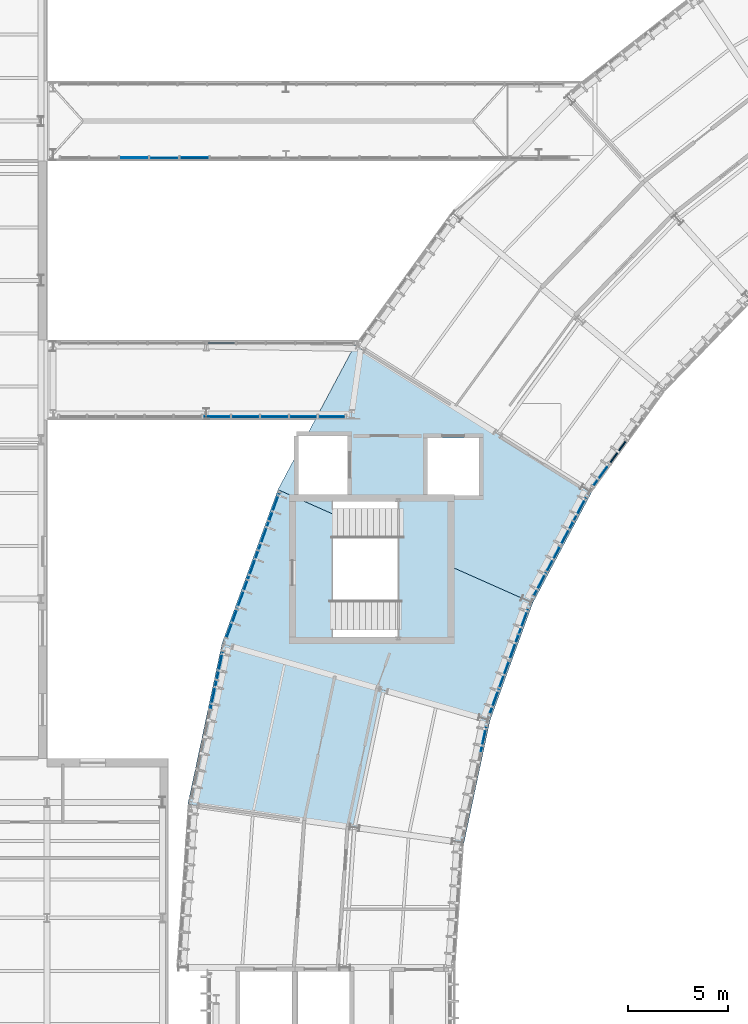
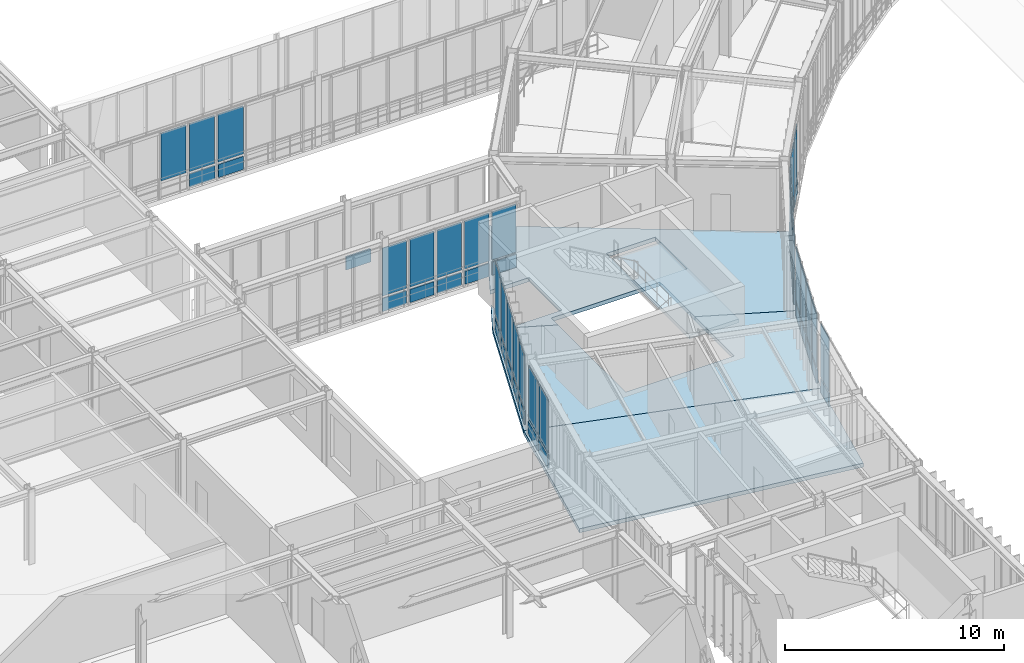
# One storey, part 27 of 57: 52 plates, 4 slabs, 10 elements without a shape of their own.
"""IFC4 building model written with IfcOpenShell, lengths in metres."""

from ifc_helpers import new_model, si_unit, direction, frame, origin, origin_2d, place, context, subcontext, project, spatial, polyline, rectangle, outline, extrude, material, layer, layer_set, type_object, element, aggregate, save


model = new_model("IFC4")

# Units and contexts
model_context = context("Model", 3, precision=1e-05, world=origin(), true_north=direction((0.0, 1.0)))
body_context = subcontext(model_context, "Body", "Model", "MODEL_VIEW")
ifc_project = project(units=[si_unit("LENGTHUNIT", "METRE"), si_unit("AREAUNIT", "SQUARE_METRE"), si_unit("VOLUMEUNIT", "CUBIC_METRE"), si_unit("PLANEANGLEUNIT", "RADIAN"), si_unit("MASSUNIT", "GRAM", prefix="KILO"), si_unit("THERMODYNAMICTEMPERATUREUNIT", "KELVIN"), si_unit("POWERUNIT", "WATT")], contexts=[model_context])

# Site, building, storey
site_placement = place(None, origin())
site = spatial("IfcSite", under=ifc_project, at=site_placement, CompositionType="ELEMENT")
building_placement = place(site_placement, origin())
building = spatial("IfcBuilding", under=site, at=building_placement, Name="Solvatero Civic Police Headquarters", CompositionType="ELEMENT")
storey_placement = place(building_placement, frame((0.0, 0.0, 9.300048828125)))
storey = spatial("IfcBuildingStorey", under=building, at=storey_placement, Name="L02", CompositionType="ELEMENT", Elevation=9.300048828125)

# Curtain wall, plate
ifc_material_1 = material(Name="Anodized Bronze Aluminium", Category="aluminium")
ifc_layer_1 = layer(ifc_material_1, 0.179931640625)
ifc_layer_set_1 = layer_set([ifc_layer_1], Name="Anodized Bronze Aluminium")
curtain_wall_type_1 = type_object("IfcCurtainWallType", Name="CW-ARC-IN", PredefinedType="USERDEFINED", material=ifc_layer_set_1)
curtain_wall_1_placement = place(storey_placement, origin())
curtain_wall_1 = element("IfcCurtainWall", 1, at=curtain_wall_1_placement, inside=storey, type_object=curtain_wall_type_1, Name="Curtain Wall CW-R2-L02-ARC-IN-B08", ObjectType="UNITISED", PredefinedType="USERDEFINED")
ifc_material_2 = material(Name="Triple Low-E Laminated Glass", Category="glass")
ifc_layer_2 = layer(ifc_material_2, 0.0380859375)
ifc_layer_set_2 = layer_set([ifc_layer_2], Name="Triple Low-E Laminated Glass")
plate_type_1 = type_object("IfcPlateType", Name="CWP-GLZ-38", PredefinedType="CURTAIN_PANEL", material=ifc_layer_set_2)
plate_1_placement = place(storey_placement, frame((56.32177734375, 50.71630859375, 0.91015625), z_axis=(0.0, 0.0, 1.0), x_axis=(-0.587785252292, -0.809016994375, 0.0)))
plate_1 = element("IfcPlate", 2, at=plate_1_placement, type_object=plate_type_1, Name="CW-R2-L02-ARC-IN-B08 Vision Glazing 4", PredefinedType="CURTAIN_PANEL", context=body_context, shape_type="SweptSolid", body=[
    extrude(rectangle(XDim=1.26513671875, YDim=0.0380859375, at=origin_2d()), origin(), (0.0, 0.0, 1.0), 2.969970703125),
])

# Curtain wall, plates
curtain_wall_2_placement = place(storey_placement, origin())
curtain_wall_2 = element("IfcCurtainWall", 3, at=curtain_wall_2_placement, inside=storey, type_object=curtain_wall_type_1, Name="Curtain Wall CW-R2-L02-ARC-IN-B09", ObjectType="UNITISED", PredefinedType="USERDEFINED")
plate_2_placement = place(storey_placement, frame((55.271484375, 49.03662109375, 0.91015625), z_axis=(0.0, 0.0, 1.0), x_axis=(-0.469471562786, -0.882947592859, 0.0)))
plate_2 = element("IfcPlate", 4, at=plate_2_placement, type_object=plate_type_1, Name="CW-R2-L02-ARC-IN-B09 Vision Glazing 1", PredefinedType="CURTAIN_PANEL", context=body_context, shape_type="SweptSolid", body=[
    extrude(rectangle(XDim=1.25048828125, YDim=0.0380859375, at=origin_2d()), origin(), (0.0, 0.0, 1.0), 2.969970703125),
])
plate_3_placement = place(storey_placement, frame((53.928466796875, 46.510498046875, 0.91015625), z_axis=(0.0, 0.0, 1.0), x_axis=(-0.469471562786, -0.882947592859, 0.0)))
plate_3 = element("IfcPlate", 5, at=plate_3_placement, type_object=plate_type_1, Name="CW-R2-L02-ARC-IN-B09 Vision Glazing 3", PredefinedType="CURTAIN_PANEL", context=body_context, shape_type="SweptSolid", body=[
    extrude(rectangle(XDim=1.25048828125, YDim=0.0380859375, at=origin_2d()), origin(), (0.0, 0.0, 1.0), 2.969970703125),
])

ifc_layer_3 = layer(ifc_material_1, 0.179931640625)
ifc_layer_set_3 = layer_set([ifc_layer_3], Name="Anodized Bronze Aluminium")
curtain_wall_type_2 = type_object("IfcCurtainWallType", Name="CW-ARC-OUT", PredefinedType="USERDEFINED", material=ifc_layer_set_3)
curtain_wall_3_placement = place(storey_placement, origin())
curtain_wall_3 = element("IfcCurtainWall", 6, at=curtain_wall_3_placement, inside=storey, type_object=curtain_wall_type_2, Name="Curtain Wall CW-R2-L02-ARC-OUT-B10", ObjectType="UNITISED", PredefinedType="USERDEFINED")
plate_4_placement = place(storey_placement, frame((39.383544921875, 47.676513671875, 0.91015625), z_axis=(0.0, 0.0, 1.0), x_axis=(-0.342020143326, -0.939692620786, 0.0)))
plate_4 = element("IfcPlate", 7, at=plate_4_placement, type_object=plate_type_1, Name="CW-R2-L02-ARC-OUT-B10 Vision Glazing 2", PredefinedType="CURTAIN_PANEL", context=body_context, shape_type="SweptSolid", body=[
    extrude(rectangle(XDim=1.391845703125, YDim=0.0380859375, at=origin_2d()), origin(), (0.0, 0.0, 1.0), 2.969970703125),
])
plate_5_placement = place(storey_placement, frame((38.30810546875, 44.722412109375, 0.91015625), z_axis=(0.0, 0.0, 1.0), x_axis=(-0.342020143326, -0.939692620786, 0.0)))
plate_5 = element("IfcPlate", 8, at=plate_5_placement, type_object=plate_type_1, Name="CW-R2-L02-ARC-OUT-B10 Vision Glazing 4", PredefinedType="CURTAIN_PANEL", context=body_context, shape_type="SweptSolid", body=[
    extrude(rectangle(XDim=1.391845703125, YDim=0.0380859375, at=origin_2d()), origin(), (0.0, 0.0, 1.0), 2.969970703125),
])

curtain_wall_4_placement = place(storey_placement, origin())
curtain_wall_4 = element("IfcCurtainWall", 9, at=curtain_wall_4_placement, inside=storey, type_object=curtain_wall_type_1, Name="Curtain Wall CW-R2-L02-ARC-IN-B10", ObjectType="UNITISED", PredefinedType="USERDEFINED")
plate_6_placement = place(storey_placement, frame((52.433837890625, 43.39892578125, 0.91015625), z_axis=(0.0, 0.0, 1.0), x_axis=(-0.342003742543, -0.93969859002, 0.0)))
plate_6 = element("IfcPlate", 10, at=plate_6_placement, type_object=plate_type_1, Name="CW-R2-L02-ARC-IN-B10 Vision Glazing 1", PredefinedType="CURTAIN_PANEL", context=body_context, shape_type="SweptSolid", body=[
    extrude(rectangle(XDim=1.25048828125, YDim=0.0380859375, at=origin_2d()), origin(), (0.0, 0.0, 1.0), 2.969970703125),
])
plate_7_placement = place(storey_placement, frame((51.455322265625, 40.710693359375, 0.91015625), z_axis=(0.0, 0.0, 1.0), x_axis=(-0.342003742543, -0.93969859002, 0.0)))
plate_7 = element("IfcPlate", 11, at=plate_7_placement, type_object=plate_type_1, Name="CW-R2-L02-ARC-IN-B10 Vision Glazing 3", PredefinedType="CURTAIN_PANEL", context=body_context, shape_type="SweptSolid", body=[
    extrude(rectangle(XDim=1.25048828125, YDim=0.0380859375, at=origin_2d()), origin(), (0.0, 0.0, 1.0), 2.969970703125),
])

# Curtain wall, plate
curtain_wall_5_placement = place(storey_placement, origin())
curtain_wall_5 = element("IfcCurtainWall", 12, at=curtain_wall_5_placement, inside=storey, type_object=curtain_wall_type_2, Name="Curtain Wall CW-R2-L02-ARC-OUT-B11", ObjectType="UNITISED", PredefinedType="USERDEFINED")
plate_8_placement = place(storey_placement, frame((36.862548828125, 39.69677734375, 0.91015625), z_axis=(0.0, 0.0, 1.0), x_axis=(-0.207911690818, -0.978147600734, 0.0)))
plate_8 = element("IfcPlate", 13, at=plate_8_placement, type_object=plate_type_1, Name="CW-R2-L02-ARC-OUT-B11 Vision Glazing 2", PredefinedType="CURTAIN_PANEL", context=body_context, shape_type="SweptSolid", body=[
    extrude(rectangle(XDim=1.349609375, YDim=0.0380859375, at=origin_2d()), origin(), (0.0, 0.0, 1.0), 2.969970703125),
])

curtain_wall_6_placement = place(storey_placement, origin())
curtain_wall_6 = element("IfcCurtainWall", 14, at=curtain_wall_6_placement, inside=storey, type_object=curtain_wall_type_1, Name="Curtain Wall CW-R2-L02-ARC-IN-B11", ObjectType="UNITISED", PredefinedType="USERDEFINED")
plate_9_placement = place(storey_placement, frame((50.422119140625, 37.46923828125, 0.91015625), z_axis=(0.0, 0.0, 1.0), x_axis=(-0.207911690818, -0.978147600734, 0.0)))
plate_9 = element("IfcPlate", 15, at=plate_9_placement, type_object=plate_type_1, Name="CW-R2-L02-ARC-IN-B11 Vision Glazing 1", PredefinedType="CURTAIN_PANEL", context=body_context, shape_type="SweptSolid", body=[
    extrude(rectangle(XDim=1.25048828125, YDim=0.0380859375, at=origin_2d()), origin(), (0.0, 0.0, 1.0), 2.969970703125),
])

# Curtain wall, plates
ifc_layer_4 = layer(ifc_material_1, 0.179931640625)
ifc_layer_set_4 = layer_set([ifc_layer_4], Name="Anodized Bronze Aluminium")
curtain_wall_type_3 = type_object("IfcCurtainWallType", Name="CW-SB-GLZ", PredefinedType="USERDEFINED", material=ifc_layer_set_4)
curtain_wall_7_placement = place(storey_placement, origin())
curtain_wall_7 = element("IfcCurtainWall", 16, at=curtain_wall_7_placement, inside=storey, type_object=curtain_wall_type_3, Name="Curtain Wall CW-R2-L02-SB1-S", ObjectType="UNITISED", PredefinedType="USERDEFINED")
plate_10_placement = place(storey_placement, frame((37.0244140625, 53.64990234375, 0.91015625), z_axis=(0.0, 0.0, 1.0), x_axis=(1.0, 0.0, 0.0)))
plate_10 = element("IfcPlate", 17, at=plate_10_placement, type_object=plate_type_1, Name="CW-R2-L02-SB1-S Vision Glazing 6", PredefinedType="CURTAIN_PANEL", context=body_context, shape_type="SweptSolid", body=[
    extrude(rectangle(XDim=1.268798828125, YDim=0.0380859375, at=origin_2d()), origin(), (0.0, 0.0, 1.0), 2.679931640625),
])
plate_11_placement = place(storey_placement, frame((39.922119140625, 53.64990234375, 0.91015625), z_axis=(0.0, 0.0, 1.0), x_axis=(1.0, 0.0, 0.0)))
plate_11 = element("IfcPlate", 18, at=plate_11_placement, type_object=plate_type_1, Name="CW-R2-L02-SB1-S Vision Glazing 8", PredefinedType="CURTAIN_PANEL", context=body_context, shape_type="SweptSolid", body=[
    extrude(rectangle(XDim=1.268798828125, YDim=0.0380859375, at=origin_2d()), origin(), (0.0, 0.0, 1.0), 2.679931640625),
])
plate_12_placement = place(storey_placement, frame((42.819580078125, 53.64990234375, 0.91015625), z_axis=(0.0, 0.0, 1.0), x_axis=(1.0, 0.0, 0.0)))
plate_12 = element("IfcPlate", 19, at=plate_12_placement, type_object=plate_type_1, Name="CW-R2-L02-SB1-S Vision Glazing 10", PredefinedType="CURTAIN_PANEL", context=body_context, shape_type="SweptSolid", body=[
    extrude(rectangle(XDim=1.268798828125, YDim=0.0380859375, at=origin_2d()), origin(), (0.0, 0.0, 1.0), 2.679931640625),
])

# Curtain wall, plate
curtain_wall_8_placement = place(storey_placement, origin())
curtain_wall_8 = element("IfcCurtainWall", 20, at=curtain_wall_8_placement, inside=storey, type_object=curtain_wall_type_3, Name="Curtain Wall CW-R2-L02-SB2-S", ObjectType="UNITISED", PredefinedType="USERDEFINED")
plate_13_placement = place(storey_placement, frame((34.390625, 66.64990234375, 0.91015625), z_axis=(0.0, 0.0, 1.0), x_axis=(1.0, 0.0, 0.0)))
plate_13 = element("IfcPlate", 21, at=plate_13_placement, type_object=plate_type_1, Name="CW-R2-L02-SB2-S Vision Glazing 4", PredefinedType="CURTAIN_PANEL", context=body_context, shape_type="SweptSolid", body=[
    extrude(rectangle(XDim=1.327392578125, YDim=0.0380859375, at=origin_2d()), origin(), (0.0, 0.0, 1.0), 2.679931640625),
])

# Plate
ifc_material_3 = material(Name="Acoustic Ballistic Laminated Glass", Category="glass")
ifc_layer_5 = layer(ifc_material_3, 0.0439453125)
ifc_layer_set_5 = layer_set([ifc_layer_5], Name="Acoustic Ballistic Laminated Glass")
plate_type_2 = type_object("IfcPlateType", Name="CWP-GLZ-44", PredefinedType="CURTAIN_PANEL", material=ifc_layer_set_5)
plate_14_placement = place(storey_placement, frame((57.17138671875, 51.885498046875, 0.91015625), z_axis=(0.0, 0.0, 1.0), x_axis=(-0.587785252292, -0.809016994375, 0.0)))
plate_14 = element("IfcPlate", 22, at=plate_14_placement, type_object=plate_type_2, Name="CW-R2-L02-ARC-IN-B08 Vision Glazing 3", PredefinedType="CURTAIN_PANEL", context=body_context, shape_type="SweptSolid", body=[
    extrude(rectangle(XDim=1.26513671875, YDim=0.0439453125, at=origin_2d()), origin(), (0.0, 0.0, 1.0), 2.969970703125),
])

plate_15_placement = place(storey_placement, frame((54.60009765625, 47.7734375, 0.91015625), z_axis=(0.0, 0.0, 1.0), x_axis=(-0.469471562786, -0.882947592859, 0.0)))
plate_15 = element("IfcPlate", 23, at=plate_15_placement, type_object=plate_type_2, Name="CW-R2-L02-ARC-IN-B09 Vision Glazing 2", PredefinedType="CURTAIN_PANEL", context=body_context, shape_type="SweptSolid", body=[
    extrude(rectangle(XDim=1.25048828125, YDim=0.0439453125, at=origin_2d()), origin(), (0.0, 0.0, 1.0), 2.969970703125),
])

plate_16_placement = place(storey_placement, frame((53.2568359375, 45.247314453125, 0.91015625), z_axis=(0.0, 0.0, 1.0), x_axis=(-0.469471562786, -0.882947592859, 0.0)))
plate_16 = element("IfcPlate", 24, at=plate_16_placement, type_object=plate_type_2, Name="CW-R2-L02-ARC-IN-B09 Vision Glazing 4", PredefinedType="CURTAIN_PANEL", context=body_context, shape_type="SweptSolid", body=[
    extrude(rectangle(XDim=1.25048828125, YDim=0.0439453125, at=origin_2d()), origin(), (0.0, 0.0, 1.0), 2.969970703125),
])

plate_17_placement = place(storey_placement, frame((39.921142578125, 49.15380859375, 0.91015625), z_axis=(0.0, 0.0, 1.0), x_axis=(-0.342020143326, -0.939692620786, 0.0)))
plate_17 = element("IfcPlate", 25, at=plate_17_placement, type_object=plate_type_2, Name="CW-R2-L02-ARC-OUT-B10 Vision Glazing 1", PredefinedType="CURTAIN_PANEL", context=body_context, shape_type="SweptSolid", body=[
    extrude(rectangle(XDim=1.391845703125, YDim=0.0439453125, at=origin_2d()), origin(), (0.0, 0.0, 1.0), 2.969970703125),
])

plate_18_placement = place(storey_placement, frame((38.845947265625, 46.199462890625, 0.91015625), z_axis=(0.0, 0.0, 1.0), x_axis=(-0.342020143326, -0.939692620786, 0.0)))
plate_18 = element("IfcPlate", 26, at=plate_18_placement, type_object=plate_type_2, Name="CW-R2-L02-ARC-OUT-B10 Vision Glazing 3", PredefinedType="CURTAIN_PANEL", context=body_context, shape_type="SweptSolid", body=[
    extrude(rectangle(XDim=1.391845703125, YDim=0.0439453125, at=origin_2d()), origin(), (0.0, 0.0, 1.0), 2.969970703125),
])

plate_19_placement = place(storey_placement, frame((37.7705078125, 43.245361328125, 0.91015625), z_axis=(0.0, 0.0, 1.0), x_axis=(-0.342020143326, -0.939692620786, 0.0)))
plate_19 = element("IfcPlate", 27, at=plate_19_placement, type_object=plate_type_2, Name="CW-R2-L02-ARC-OUT-B10 Vision Glazing 5", PredefinedType="CURTAIN_PANEL", context=body_context, shape_type="SweptSolid", body=[
    extrude(rectangle(XDim=1.391845703125, YDim=0.0439453125, at=origin_2d()), origin(), (0.0, 0.0, 1.0), 2.969970703125),
])

plate_20_placement = place(storey_placement, frame((51.944580078125, 42.0546875, 0.91015625), z_axis=(0.0, 0.0, 1.0), x_axis=(-0.342003742543, -0.93969859002, 0.0)))
plate_20 = element("IfcPlate", 28, at=plate_20_placement, type_object=plate_type_2, Name="CW-R2-L02-ARC-IN-B10 Vision Glazing 2", PredefinedType="CURTAIN_PANEL", context=body_context, shape_type="SweptSolid", body=[
    extrude(rectangle(XDim=1.25048828125, YDim=0.0439453125, at=origin_2d()), origin(), (0.0, 0.0, 1.0), 2.969970703125),
])

plate_21_placement = place(storey_placement, frame((50.96630859375, 39.366455078125, 0.91015625), z_axis=(0.0, 0.0, 1.0), x_axis=(-0.342003742543, -0.93969859002, 0.0)))
plate_21 = element("IfcPlate", 29, at=plate_21_placement, type_object=plate_type_2, Name="CW-R2-L02-ARC-IN-B10 Vision Glazing 4", PredefinedType="CURTAIN_PANEL", context=body_context, shape_type="SweptSolid", body=[
    extrude(rectangle(XDim=1.25048828125, YDim=0.0439453125, at=origin_2d()), origin(), (0.0, 0.0, 1.0), 2.969970703125),
])

plate_22_placement = place(storey_placement, frame((37.1806640625, 41.19287109375, 0.91015625), z_axis=(0.0, 0.0, 1.0), x_axis=(-0.207911690818, -0.978147600734, 0.0)))
plate_22 = element("IfcPlate", 30, at=plate_22_placement, type_object=plate_type_2, Name="CW-R2-L02-ARC-OUT-B11 Vision Glazing 1", PredefinedType="CURTAIN_PANEL", context=body_context, shape_type="SweptSolid", body=[
    extrude(rectangle(XDim=1.349609375, YDim=0.0439453125, at=origin_2d()), origin(), (0.0, 0.0, 1.0), 2.969970703125),
])

plate_23_placement = place(storey_placement, frame((38.47314453125, 53.64990234375, 0.91015625), z_axis=(0.0, 0.0, 1.0), x_axis=(1.0, 0.0, 0.0)))
plate_23 = element("IfcPlate", 31, at=plate_23_placement, type_object=plate_type_2, Name="CW-R2-L02-SB1-S Vision Glazing 7", PredefinedType="CURTAIN_PANEL", context=body_context, shape_type="SweptSolid", body=[
    extrude(rectangle(XDim=1.268798828125, YDim=0.0439453125, at=origin_2d()), origin(), (0.0, 0.0, 1.0), 2.679931640625),
])

plate_24_placement = place(storey_placement, frame((41.370849609375, 53.64990234375, 0.91015625), z_axis=(0.0, 0.0, 1.0), x_axis=(1.0, 0.0, 0.0)))
plate_24 = element("IfcPlate", 32, at=plate_24_placement, type_object=plate_type_2, Name="CW-R2-L02-SB1-S Vision Glazing 9", PredefinedType="CURTAIN_PANEL", context=body_context, shape_type="SweptSolid", body=[
    extrude(rectangle(XDim=1.268798828125, YDim=0.0439453125, at=origin_2d()), origin(), (0.0, 0.0, 1.0), 2.679931640625),
])

plate_25_placement = place(storey_placement, frame((32.88330078125, 66.64990234375, 0.91015625), z_axis=(0.0, 0.0, 1.0), x_axis=(1.0, 0.0, 0.0)))
plate_25 = element("IfcPlate", 33, at=plate_25_placement, type_object=plate_type_2, Name="CW-R2-L02-SB2-S Vision Glazing 3", PredefinedType="CURTAIN_PANEL", context=body_context, shape_type="SweptSolid", body=[
    extrude(rectangle(XDim=1.327392578125, YDim=0.0439453125, at=origin_2d()), origin(), (0.0, 0.0, 1.0), 2.679931640625),
])

plate_26_placement = place(storey_placement, frame((35.898193359375, 66.64990234375, 0.91015625), z_axis=(0.0, 0.0, 1.0), x_axis=(1.0, 0.0, 0.0)))
plate_26 = element("IfcPlate", 34, at=plate_26_placement, type_object=plate_type_2, Name="CW-R2-L02-SB2-S Vision Glazing 5", PredefinedType="CURTAIN_PANEL", context=body_context, shape_type="SweptSolid", body=[
    extrude(rectangle(XDim=1.327392578125, YDim=0.0439453125, at=origin_2d()), origin(), (0.0, 0.0, 1.0), 2.679931640625),
])

ifc_material_4 = material(Name="Insulated Bronze Aluminium Spandrel", Category="aluminium")
ifc_layer_6 = layer(ifc_material_4, 0.06005859375)
ifc_layer_set_6 = layer_set([ifc_layer_6], Name="Insulated Bronze Aluminium Spandrel")
plate_type_3 = type_object("IfcPlateType", Name="CWP-SPN-60", PredefinedType="CURTAIN_PANEL", material=ifc_layer_set_6)
plate_27_placement = place(storey_placement, frame((56.32177734375, 50.71630859375, 0.06005859375), z_axis=(0.0, 0.0, 1.0), x_axis=(-0.587785252292, -0.809016994375, 0.0)))
plate_27 = element("IfcPlate", 35, at=plate_27_placement, type_object=plate_type_3, Name="CW-R2-L02-ARC-IN-B08 Spandrel Panel 4", PredefinedType="CURTAIN_PANEL", context=body_context, shape_type="SweptSolid", body=[
    extrude(rectangle(XDim=1.26513671875, YDim=0.06005859375, at=origin_2d()), origin(), (0.0, 0.0, 1.0), 0.72998046875),
])

plate_28_placement = place(storey_placement, frame((55.271484375, 49.03662109375, 0.06005859375), z_axis=(0.0, 0.0, 1.0), x_axis=(-0.469471562786, -0.882947592859, 0.0)))
plate_28 = element("IfcPlate", 36, at=plate_28_placement, type_object=plate_type_3, Name="CW-R2-L02-ARC-IN-B09 Spandrel Panel 1", PredefinedType="CURTAIN_PANEL", context=body_context, shape_type="SweptSolid", body=[
    extrude(rectangle(XDim=1.25048828125, YDim=0.06005859375, at=origin_2d()), origin(), (0.0, 0.0, 1.0), 0.72998046875),
])

plate_29_placement = place(storey_placement, frame((53.928466796875, 46.510498046875, 0.06005859375), z_axis=(0.0, 0.0, 1.0), x_axis=(-0.469471562786, -0.882947592859, 0.0)))
plate_29 = element("IfcPlate", 37, at=plate_29_placement, type_object=plate_type_3, Name="CW-R2-L02-ARC-IN-B09 Spandrel Panel 3", PredefinedType="CURTAIN_PANEL", context=body_context, shape_type="SweptSolid", body=[
    extrude(rectangle(XDim=1.25048828125, YDim=0.06005859375, at=origin_2d()), origin(), (0.0, 0.0, 1.0), 0.72998046875),
])

plate_30_placement = place(storey_placement, frame((39.383544921875, 47.676513671875, 0.06005859375), z_axis=(0.0, 0.0, 1.0), x_axis=(-0.342020143326, -0.939692620786, 0.0)))
plate_30 = element("IfcPlate", 38, at=plate_30_placement, type_object=plate_type_3, Name="CW-R2-L02-ARC-OUT-B10 Spandrel Panel 2", PredefinedType="CURTAIN_PANEL", context=body_context, shape_type="SweptSolid", body=[
    extrude(rectangle(XDim=1.391845703125, YDim=0.06005859375, at=origin_2d()), origin(), (0.0, 0.0, 1.0), 0.72998046875),
])

plate_31_placement = place(storey_placement, frame((38.30810546875, 44.722412109375, 0.06005859375), z_axis=(0.0, 0.0, 1.0), x_axis=(-0.342020143326, -0.939692620786, 0.0)))
plate_31 = element("IfcPlate", 39, at=plate_31_placement, type_object=plate_type_3, Name="CW-R2-L02-ARC-OUT-B10 Spandrel Panel 4", PredefinedType="CURTAIN_PANEL", context=body_context, shape_type="SweptSolid", body=[
    extrude(rectangle(XDim=1.391845703125, YDim=0.06005859375, at=origin_2d()), origin(), (0.0, 0.0, 1.0), 0.72998046875),
])

plate_32_placement = place(storey_placement, frame((52.433837890625, 43.39892578125, 0.06005859375), z_axis=(0.0, 0.0, 1.0), x_axis=(-0.342003742543, -0.93969859002, 0.0)))
plate_32 = element("IfcPlate", 40, at=plate_32_placement, type_object=plate_type_3, Name="CW-R2-L02-ARC-IN-B10 Spandrel Panel 1", PredefinedType="CURTAIN_PANEL", context=body_context, shape_type="SweptSolid", body=[
    extrude(rectangle(XDim=1.25048828125, YDim=0.06005859375, at=origin_2d()), origin(), (0.0, 0.0, 1.0), 0.72998046875),
])

plate_33_placement = place(storey_placement, frame((51.455322265625, 40.710693359375, 0.06005859375), z_axis=(0.0, 0.0, 1.0), x_axis=(-0.342003742543, -0.93969859002, 0.0)))
plate_33 = element("IfcPlate", 41, at=plate_33_placement, type_object=plate_type_3, Name="CW-R2-L02-ARC-IN-B10 Spandrel Panel 3", PredefinedType="CURTAIN_PANEL", context=body_context, shape_type="SweptSolid", body=[
    extrude(rectangle(XDim=1.25048828125, YDim=0.06005859375, at=origin_2d()), origin(), (0.0, 0.0, 1.0), 0.72998046875),
])

plate_34_placement = place(storey_placement, frame((36.862548828125, 39.69677734375, 0.06005859375), z_axis=(0.0, 0.0, 1.0), x_axis=(-0.207911690818, -0.978147600734, 0.0)))
plate_34 = element("IfcPlate", 42, at=plate_34_placement, type_object=plate_type_3, Name="CW-R2-L02-ARC-OUT-B11 Spandrel Panel 2", PredefinedType="CURTAIN_PANEL", context=body_context, shape_type="SweptSolid", body=[
    extrude(rectangle(XDim=1.349609375, YDim=0.06005859375, at=origin_2d()), origin(), (0.0, 0.0, 1.0), 0.72998046875),
])

plate_35_placement = place(storey_placement, frame((50.422119140625, 37.46923828125, 0.06005859375), z_axis=(0.0, 0.0, 1.0), x_axis=(-0.207911690818, -0.978147600734, 0.0)))
plate_35 = element("IfcPlate", 43, at=plate_35_placement, type_object=plate_type_3, Name="CW-R2-L02-ARC-IN-B11 Spandrel Panel 1", PredefinedType="CURTAIN_PANEL", context=body_context, shape_type="SweptSolid", body=[
    extrude(rectangle(XDim=1.25048828125, YDim=0.06005859375, at=origin_2d()), origin(), (0.0, 0.0, 1.0), 0.72998046875),
])

aggregate(curtain_wall_6, [plate_35, plate_9])

plate_36_placement = place(storey_placement, frame((37.0244140625, 53.64990234375, 0.06005859375), z_axis=(0.0, 0.0, 1.0), x_axis=(1.0, 0.0, 0.0)))
plate_36 = element("IfcPlate", 44, at=plate_36_placement, type_object=plate_type_3, Name="CW-R2-L02-SB1-S Spandrel Panel 6", PredefinedType="CURTAIN_PANEL", context=body_context, shape_type="SweptSolid", body=[
    extrude(rectangle(XDim=1.268798828125, YDim=0.06005859375, at=origin_2d()), origin(), (0.0, 0.0, 1.0), 0.72998046875),
])

plate_37_placement = place(storey_placement, frame((39.922119140625, 53.64990234375, 0.06005859375), z_axis=(0.0, 0.0, 1.0), x_axis=(1.0, 0.0, 0.0)))
plate_37 = element("IfcPlate", 45, at=plate_37_placement, type_object=plate_type_3, Name="CW-R2-L02-SB1-S Spandrel Panel 8", PredefinedType="CURTAIN_PANEL", context=body_context, shape_type="SweptSolid", body=[
    extrude(rectangle(XDim=1.268798828125, YDim=0.06005859375, at=origin_2d()), origin(), (0.0, 0.0, 1.0), 0.72998046875),
])

plate_38_placement = place(storey_placement, frame((42.819580078125, 53.64990234375, 0.06005859375), z_axis=(0.0, 0.0, 1.0), x_axis=(1.0, 0.0, 0.0)))
plate_38 = element("IfcPlate", 46, at=plate_38_placement, type_object=plate_type_3, Name="CW-R2-L02-SB1-S Spandrel Panel 10", PredefinedType="CURTAIN_PANEL", context=body_context, shape_type="SweptSolid", body=[
    extrude(rectangle(XDim=1.268798828125, YDim=0.06005859375, at=origin_2d()), origin(), (0.0, 0.0, 1.0), 0.72998046875),
])

plate_39_placement = place(storey_placement, frame((34.390625, 66.64990234375, 0.06005859375), z_axis=(0.0, 0.0, 1.0), x_axis=(1.0, 0.0, 0.0)))
plate_39 = element("IfcPlate", 47, at=plate_39_placement, type_object=plate_type_3, Name="CW-R2-L02-SB2-S Spandrel Panel 4", PredefinedType="CURTAIN_PANEL", context=body_context, shape_type="SweptSolid", body=[
    extrude(rectangle(XDim=1.327392578125, YDim=0.06005859375, at=origin_2d()), origin(), (0.0, 0.0, 1.0), 0.72998046875),
])

ifc_material_5 = material(Name="Limestone Veneer Spandrel Panel", Category="masonry")
ifc_layer_7 = layer(ifc_material_5, 0.074951171875)
ifc_layer_set_7 = layer_set([ifc_layer_7], Name="Limestone Veneer Spandrel Panel")
plate_type_4 = type_object("IfcPlateType", Name="CWP-SPN-75", PredefinedType="CURTAIN_PANEL", material=ifc_layer_set_7)
plate_40_placement = place(storey_placement, frame((57.17138671875, 51.885498046875, 0.06005859375), z_axis=(0.0, 0.0, 1.0), x_axis=(-0.587785252292, -0.809016994375, 0.0)))
plate_40 = element("IfcPlate", 48, at=plate_40_placement, type_object=plate_type_4, Name="CW-R2-L02-ARC-IN-B08 Spandrel Panel 3", PredefinedType="CURTAIN_PANEL", context=body_context, shape_type="SweptSolid", body=[
    extrude(rectangle(XDim=1.26513671875, YDim=0.074951171875, at=origin_2d()), origin(), (0.0, 0.0, 1.0), 0.72998046875),
])

aggregate(curtain_wall_1, [plate_40, plate_14, plate_27, plate_1])

plate_41_placement = place(storey_placement, frame((54.60009765625, 47.7734375, 0.06005859375), z_axis=(0.0, 0.0, 1.0), x_axis=(-0.469471562786, -0.882947592859, 0.0)))
plate_41 = element("IfcPlate", 49, at=plate_41_placement, type_object=plate_type_4, Name="CW-R2-L02-ARC-IN-B09 Spandrel Panel 2", PredefinedType="CURTAIN_PANEL", context=body_context, shape_type="SweptSolid", body=[
    extrude(rectangle(XDim=1.25048828125, YDim=0.074951171875, at=origin_2d()), origin(), (0.0, 0.0, 1.0), 0.72998046875),
])

plate_42_placement = place(storey_placement, frame((53.2568359375, 45.247314453125, 0.06005859375), z_axis=(0.0, 0.0, 1.0), x_axis=(-0.469471562786, -0.882947592859, 0.0)))
plate_42 = element("IfcPlate", 50, at=plate_42_placement, type_object=plate_type_4, Name="CW-R2-L02-ARC-IN-B09 Spandrel Panel 4", PredefinedType="CURTAIN_PANEL", context=body_context, shape_type="SweptSolid", body=[
    extrude(rectangle(XDim=1.25048828125, YDim=0.074951171875, at=origin_2d()), origin(), (0.0, 0.0, 1.0), 0.72998046875),
])

aggregate(curtain_wall_2, [plate_28, plate_2, plate_41, plate_15, plate_29, plate_3, plate_42, plate_16])

plate_43_placement = place(storey_placement, frame((39.921142578125, 49.15380859375, 0.06005859375), z_axis=(0.0, 0.0, 1.0), x_axis=(-0.342020143326, -0.939692620786, 0.0)))
plate_43 = element("IfcPlate", 51, at=plate_43_placement, type_object=plate_type_4, Name="CW-R2-L02-ARC-OUT-B10 Spandrel Panel 1", PredefinedType="CURTAIN_PANEL", context=body_context, shape_type="SweptSolid", body=[
    extrude(rectangle(XDim=1.391845703125, YDim=0.074951171875, at=origin_2d()), origin(), (0.0, 0.0, 1.0), 0.72998046875),
])

plate_44_placement = place(storey_placement, frame((38.845947265625, 46.199462890625, 0.06005859375), z_axis=(0.0, 0.0, 1.0), x_axis=(-0.342020143326, -0.939692620786, 0.0)))
plate_44 = element("IfcPlate", 52, at=plate_44_placement, type_object=plate_type_4, Name="CW-R2-L02-ARC-OUT-B10 Spandrel Panel 3", PredefinedType="CURTAIN_PANEL", context=body_context, shape_type="SweptSolid", body=[
    extrude(rectangle(XDim=1.391845703125, YDim=0.074951171875, at=origin_2d()), origin(), (0.0, 0.0, 1.0), 0.72998046875),
])

plate_45_placement = place(storey_placement, frame((37.7705078125, 43.245361328125, 0.06005859375), z_axis=(0.0, 0.0, 1.0), x_axis=(-0.342020143326, -0.939692620786, 0.0)))
plate_45 = element("IfcPlate", 53, at=plate_45_placement, type_object=plate_type_4, Name="CW-R2-L02-ARC-OUT-B10 Spandrel Panel 5", PredefinedType="CURTAIN_PANEL", context=body_context, shape_type="SweptSolid", body=[
    extrude(rectangle(XDim=1.391845703125, YDim=0.074951171875, at=origin_2d()), origin(), (0.0, 0.0, 1.0), 0.72998046875),
])

aggregate(curtain_wall_3, [plate_43, plate_17, plate_30, plate_4, plate_44, plate_18, plate_31, plate_5, plate_45, plate_19])

plate_46_placement = place(storey_placement, frame((51.944580078125, 42.0546875, 0.06005859375), z_axis=(0.0, 0.0, 1.0), x_axis=(-0.342003742543, -0.93969859002, 0.0)))
plate_46 = element("IfcPlate", 54, at=plate_46_placement, type_object=plate_type_4, Name="CW-R2-L02-ARC-IN-B10 Spandrel Panel 2", PredefinedType="CURTAIN_PANEL", context=body_context, shape_type="SweptSolid", body=[
    extrude(rectangle(XDim=1.25048828125, YDim=0.074951171875, at=origin_2d()), origin(), (0.0, 0.0, 1.0), 0.72998046875),
])

plate_47_placement = place(storey_placement, frame((50.96630859375, 39.366455078125, 0.06005859375), z_axis=(0.0, 0.0, 1.0), x_axis=(-0.342003742543, -0.93969859002, 0.0)))
plate_47 = element("IfcPlate", 55, at=plate_47_placement, type_object=plate_type_4, Name="CW-R2-L02-ARC-IN-B10 Spandrel Panel 4", PredefinedType="CURTAIN_PANEL", context=body_context, shape_type="SweptSolid", body=[
    extrude(rectangle(XDim=1.25048828125, YDim=0.074951171875, at=origin_2d()), origin(), (0.0, 0.0, 1.0), 0.72998046875),
])

aggregate(curtain_wall_4, [plate_32, plate_6, plate_46, plate_20, plate_33, plate_7, plate_47, plate_21])

plate_48_placement = place(storey_placement, frame((37.1806640625, 41.19287109375, 0.06005859375), z_axis=(0.0, 0.0, 1.0), x_axis=(-0.207911690818, -0.978147600734, 0.0)))
plate_48 = element("IfcPlate", 56, at=plate_48_placement, type_object=plate_type_4, Name="CW-R2-L02-ARC-OUT-B11 Spandrel Panel 1", PredefinedType="CURTAIN_PANEL", context=body_context, shape_type="SweptSolid", body=[
    extrude(rectangle(XDim=1.349609375, YDim=0.074951171875, at=origin_2d()), origin(), (0.0, 0.0, 1.0), 0.72998046875),
])

aggregate(curtain_wall_5, [plate_48, plate_22, plate_34, plate_8])

plate_49_placement = place(storey_placement, frame((38.47314453125, 53.64990234375, 0.06005859375), z_axis=(0.0, 0.0, 1.0), x_axis=(1.0, 0.0, 0.0)))
plate_49 = element("IfcPlate", 57, at=plate_49_placement, type_object=plate_type_4, Name="CW-R2-L02-SB1-S Spandrel Panel 7", PredefinedType="CURTAIN_PANEL", context=body_context, shape_type="SweptSolid", body=[
    extrude(rectangle(XDim=1.268798828125, YDim=0.074951171875, at=origin_2d()), origin(), (0.0, 0.0, 1.0), 0.72998046875),
])

plate_50_placement = place(storey_placement, frame((41.370849609375, 53.64990234375, 0.06005859375), z_axis=(0.0, 0.0, 1.0), x_axis=(1.0, 0.0, 0.0)))
plate_50 = element("IfcPlate", 58, at=plate_50_placement, type_object=plate_type_4, Name="CW-R2-L02-SB1-S Spandrel Panel 9", PredefinedType="CURTAIN_PANEL", context=body_context, shape_type="SweptSolid", body=[
    extrude(rectangle(XDim=1.268798828125, YDim=0.074951171875, at=origin_2d()), origin(), (0.0, 0.0, 1.0), 0.72998046875),
])

aggregate(curtain_wall_7, [plate_36, plate_10, plate_49, plate_23, plate_37, plate_11, plate_50, plate_24, plate_38, plate_12])

# Curtain wall, plate
curtain_wall_9_placement = place(storey_placement, origin())
curtain_wall_9 = element("IfcCurtainWall", 59, at=curtain_wall_9_placement, inside=storey, type_object=curtain_wall_type_3, Name="Curtain Wall CW-R2-L02-SB1-N", ObjectType="UNITISED", PredefinedType="USERDEFINED")
plate_51_placement = place(storey_placement, frame((37.257568359375, 57.35009765625, 0.06005859375), z_axis=(0.0, 0.0, 1.0), x_axis=(1.0, 0.0, 0.0)))
plate_51 = element("IfcPlate", 60, at=plate_51_placement, type_object=plate_type_4, Name="CW-R2-L02-SB1-N Spandrel Panel 6", PredefinedType="CURTAIN_PANEL", context=body_context, shape_type="SweptSolid", body=[
    extrude(rectangle(XDim=1.304931640625, YDim=0.074951171875, at=origin_2d()), origin(), (0.0, 0.0, 1.0), 0.72998046875),
])
aggregate(curtain_wall_9, [plate_51])

# Plate
plate_52_placement = place(storey_placement, frame((35.898193359375, 66.64990234375, 0.06005859375), z_axis=(0.0, 0.0, 1.0), x_axis=(1.0, 0.0, 0.0)))
plate_52 = element("IfcPlate", 61, at=plate_52_placement, type_object=plate_type_4, Name="CW-R2-L02-SB2-S Spandrel Panel 5", PredefinedType="CURTAIN_PANEL", context=body_context, shape_type="SweptSolid", body=[
    extrude(rectangle(XDim=1.327392578125, YDim=0.074951171875, at=origin_2d()), origin(), (0.0, 0.0, 1.0), 0.72998046875),
])

aggregate(curtain_wall_8, [plate_25, plate_39, plate_13, plate_52, plate_26])

# Slabs
ifc_material_6 = material(Name="Concrete C35/45", Category="concrete")
ifc_layer_8 = layer(ifc_material_6, 0.199951171875)
ifc_layer_set_8 = layer_set([ifc_layer_8], Name="Concrete C35/45")
slab_type_1 = type_object("IfcSlabType", Name="SLB-COMP-200", PredefinedType="FLOOR", material=ifc_layer_set_8)
slab_1_placement = place(storey_placement, frame((0.0, 0.0, -0.219970703125)))
element("IfcSlab", 62, at=slab_1_placement, inside=storey, type_object=slab_type_1, Name="L02 Operations Arc Floor Slab Bay 9", PredefinedType="FLOOR", context=body_context, shape_type="SweptSolid", body=[
    extrude(outline(polyline([(52.890380859375, 44.302978515625), (48.60009765625, 46.21337890625), (48.60009765625, 49.39990234375), (42.860107421875, 49.39990234375), (42.860107421875, 48.76904296875), (40.100830078125, 49.99755859375), (41.0, 51.688720703125), (41.0, 49.699951171875), (43.60009765625, 49.699951171875), (43.60009765625, 52.699951171875), (41.537841796875, 52.699951171875), (43.96435546875, 57.263427734375), (55.8369140625, 49.844482421875), (52.890380859375, 44.302978515625)]), holes=[polyline([(50.199951171875, 49.699951171875), (50.199951171875, 52.60009765625), (47.60009765625, 52.60009765625), (47.60009765625, 49.699951171875), (50.199951171875, 49.699951171875)])]), origin(), (0.0, 0.0, 1.0), 0.219970703125),
])
slab_2_placement = place(storey_placement, frame((0.0, 0.0, -0.219970703125)))
element("IfcSlab", 63, at=slab_2_placement, inside=storey, type_object=slab_type_1, Name="L02 Operations Arc Floor Slab Bay 10", PredefinedType="FLOOR", context=body_context, shape_type="SweptSolid", body=[
    extrude(outline(polyline([(37.28564453125, 42.2626953125), (40.10009765625, 49.99560546875), (42.860107421875, 48.766845703125), (42.860107421875, 42.60009765625), (48.60009765625, 42.60009765625), (48.60009765625, 46.211181640625), (52.889892578125, 44.30126953125), (50.7431640625, 38.40380859375), (37.28564453125, 42.2626953125)])), origin(), (0.0, 0.0, 1.0), 0.219970703125),
])
slab_3_placement = place(storey_placement, frame((0.0, 0.0, -0.219970703125)))
element("IfcSlab", 64, at=slab_3_placement, inside=storey, type_object=slab_type_1, Name="L02 Operations Arc Floor Slab Bay 11", PredefinedType="FLOOR", context=body_context, shape_type="SweptSolid", body=[
    extrude(outline(polyline([(37.28515625, 42.260498046875), (50.742919921875, 38.401611328125), (49.43798828125, 32.2626953125), (35.57421875, 34.211181640625), (37.28515625, 42.260498046875)])), origin(), (0.0, 0.0, 1.0), 0.219970703125),
])

# Stair, slab
ifc_material_7 = material(Name="Precast concrete C40/50", Category="concrete")
stair_type = type_object("IfcStairType", Name="STR-C150-420", PredefinedType="HALF_TURN_STAIR", material=ifc_material_7)
stair_placement = place(storey_placement, origin())
stair = element("IfcStair", 65, at=stair_placement, inside=storey, type_object=stair_type, Name="Protected Exit Stair ST-C2 (L02 to L03)", PredefinedType="HALF_TURN_STAIR")
ifc_layer_9 = layer(ifc_material_7, 0.199951171875)
ifc_layer_set_9 = layer_set([ifc_layer_9], Name="Precast concrete C40/50")
slab_type_2 = type_object("IfcSlabType", Name="SLB-LND-200", PredefinedType="LANDING", material=ifc_layer_set_9)
slab_4_placement = place(storey_placement, frame((0.0, 0.0, 1.89990234375)))
slab_4 = element("IfcSlab", 66, at=slab_4_placement, type_object=slab_type_2, Name="ST-C2 L02 Half-Landing", PredefinedType="LANDING", context=body_context, shape_type="SweptSolid", body=[
    extrude(outline(polyline([(46.139892578125, 42.449951171875), (48.75, 42.449951171875), (48.75, 49.550048828125), (46.139892578125, 49.550048828125), (46.139892578125, 42.449951171875)])), origin(), (0.0, 0.0, 1.0), 0.199951171875),
])
aggregate(stair, [slab_4])

save(model, "model.ifc")
